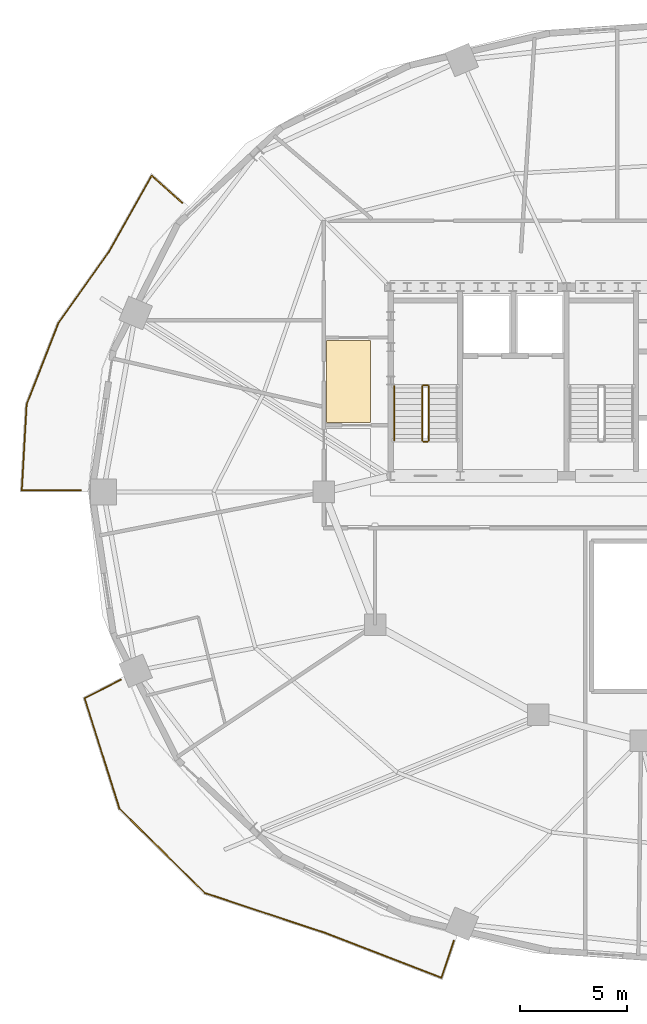
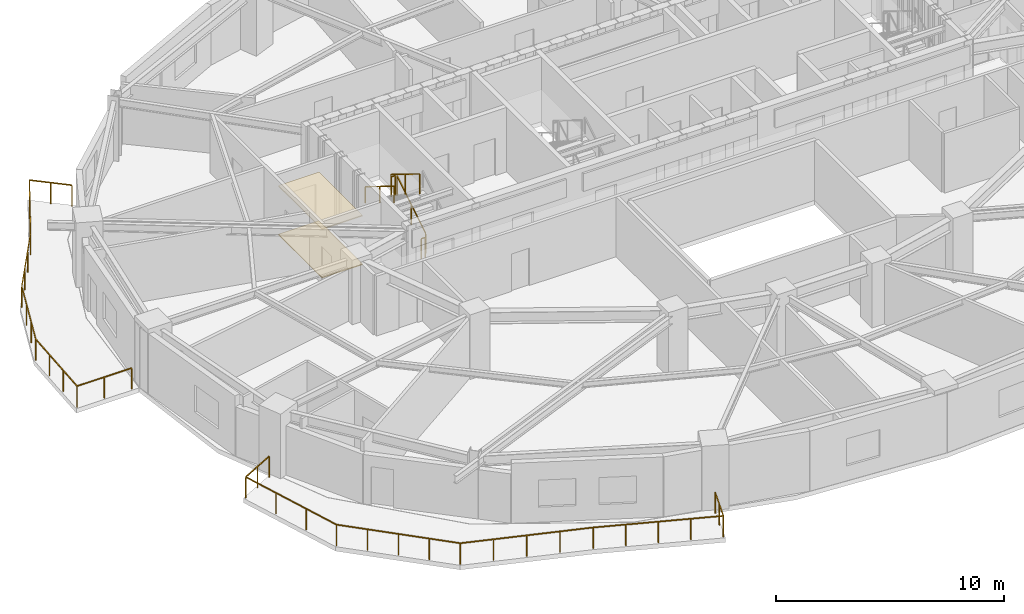
# One storey, part 8 of 10: 7 railings, 2 coverings.
"""IFC4 building model written with IfcOpenShell, lengths in metres."""

from ifc_helpers import new_model, si_unit, direction, frame, origin, origin_2d, place, context, subcontext, project, spatial, polyline, rectangle, outline, extrude, material, layer, layer_set, type_object, element, save


model = new_model("IFC4")

# Units and contexts
model_context = context("Model", 3, precision=1e-05, world=origin(), true_north=direction((0.0, 1.0)))
body_context = subcontext(model_context, "Body", "Model", "MODEL_VIEW")
ifc_project = project(units=[si_unit("LENGTHUNIT", "METRE"), si_unit("AREAUNIT", "SQUARE_METRE"), si_unit("VOLUMEUNIT", "CUBIC_METRE"), si_unit("PLANEANGLEUNIT", "RADIAN"), si_unit("MASSUNIT", "GRAM", prefix="KILO")], contexts=[model_context])

# Site, building, storey
site_placement = place(None, origin())
site = spatial("IfcSite", under=ifc_project, at=site_placement, CompositionType="ELEMENT")
building_placement = place(site_placement, origin())
building = spatial("IfcBuilding", under=site, at=building_placement, Name="Haldorwick Loom Tower", CompositionType="ELEMENT")
storey_placement = place(building_placement, frame((0.0, 0.0, 193.449951171875)))
storey = spatial("IfcBuildingStorey", under=building, at=storey_placement, Name="L52", CompositionType="ELEMENT", Elevation=193.449951171875)

# Coverings
ifc_material_1 = material(Name="Mineral Fibre Acoustic Ceiling Tile")
ifc_layer_1 = layer(ifc_material_1, 0.054931640625, Name="Mineral Fibre Acoustic Ceiling Tile")
ifc_layer_set_1 = layer_set([ifc_layer_1], Name="Mineral Fibre Acoustic Ceiling Tile")
covering_type_1 = type_object("IfcCoveringType", Name="ARC-COV-CEIL2", PredefinedType="CEILING", material=ifc_layer_set_1)
covering_1_placement = place(storey_placement, frame((0.0, 0.0, 2.594970703125)))
element("IfcCovering", 1, at=covering_1_placement, inside=storey, type_object=covering_type_1, Name="L52 Acoustic Suspended Ceiling 2", PredefinedType="CEILING", context=body_context, shape_type="SweptSolid", body=[
    extrude(outline(polyline([(18.93994140625, 33.06005859375), (18.93994140625, 29.239990234375), (21.0, 29.239990234375), (21.0, 33.06005859375), (18.93994140625, 33.06005859375)])), origin(), (0.0, 0.0, 1.0), 0.05517578125),
])
ifc_material_2 = material(Name="Polished Aggregate Terrazzo Finish")
ifc_layer_2 = layer(ifc_material_2, 0.044921875, Name="Polished Aggregate Terrazzo Finish")
ifc_layer_set_2 = layer_set([ifc_layer_2], Name="Polished Aggregate Terrazzo Finish")
covering_type_2 = type_object("IfcCoveringType", Name="ARC-COV-FLOOR2", PredefinedType="FLOORING", material=ifc_layer_set_2)
covering_2_placement = place(storey_placement, origin())
element("IfcCovering", 2, at=covering_2_placement, inside=storey, type_object=covering_type_2, Name="L52 Floor Finish 2", PredefinedType="FLOORING", context=body_context, shape_type="SweptSolid", body=[
    extrude(outline(polyline([(18.93994140625, 33.06005859375), (18.93994140625, 29.239990234375), (21.0, 29.239990234375), (21.0, 33.06005859375), (18.93994140625, 33.06005859375)])), origin(), (0.0, 0.0, 1.0), 0.045166015625),
])

# Railings
ifc_material_3 = material(Name="Galvanized Steel CSA G40.21 350W", Category="steel")
railing_type_1 = type_object("IfcRailingType", Name="ARC-RLG-BAL115", PredefinedType="BALUSTRADE", material=ifc_material_3)
railing_1_placement = place(storey_placement, frame((24.87890625, 5.0810546875, 0.0)))
element("IfcRailing", 3, at=railing_1_placement, inside=storey, type_object=railing_type_1, Name="L52 Outdoor Terrace Guardrail SLB-L52-BAL_SW-1", PredefinedType="BALUSTRADE", context=body_context, shape_type="SweptSolid", body=[
    extrude(rectangle(XDim=0.048095703125, YDim=0.048095703125, at=origin_2d()), frame((0.0, 0.0, 1.1259765625), z_axis=(-0.320504158811, -0.947247108301, 0.0), x_axis=(0.947247108301, -0.320504158811, 0.0)), (0.0, 0.0, 1.0), 1.831298828125),
    extrude(rectangle(XDim=0.048095703125, YDim=0.048095703125, at=origin_2d()), frame((-0.5869140625, -1.734619140625, 1.1259765625), z_axis=(-0.932644921505, 0.360795579783, 0.0), x_axis=(-0.360795579783, -0.932644921505, 0.0)), (0.0, 0.0, 1.0), 5.761962890625),
    extrude(rectangle(XDim=0.048095703125, YDim=0.048095703125, at=origin_2d()), frame((-5.960693359375, 0.34423828125, 1.1259765625), z_axis=(-0.928476690885, 0.371390676354, 0.0), x_axis=(-0.371390676354, -0.928476690885, 0.0)), (0.0, 0.0, 1.0), 0.00390625),
    extrude(rectangle(XDim=0.048095703125, YDim=0.048095703125, at=origin_2d()), frame((-5.96435546875, 0.345703125, 1.1259765625), z_axis=(-0.94926443568, 0.314478983642, 0.0), x_axis=(-0.314478983642, -0.94926443568, 0.0)), (0.0, 0.0, 1.0), 5.948974609375),
    extrude(rectangle(XDim=0.048095703125, YDim=0.048095703125, at=origin_2d()), frame((-11.611572265625, 2.216552734375, 1.1259765625), z_axis=(-0.711342204657, 0.702845835069, 0.0), x_axis=(-0.702845835069, -0.711342204657, 0.0)), (0.0, 0.0, 1.0), 5.603271484375),
    extrude(rectangle(XDim=0.048095703125, YDim=0.048095703125, at=origin_2d()), frame((-15.597412109375, 6.15478515625, 1.1259765625), z_axis=(-0.300921194881, 0.953649010104, 0.0), x_axis=(-0.953649010104, -0.300921194881, 0.0)), (0.0, 0.0, 1.0), 5.392822265625),
    extrude(rectangle(XDim=0.048095703125, YDim=0.048095703125, at=origin_2d()), frame((-17.22021484375, 11.297607421875, 1.1259765625), z_axis=(0.890851699435, 0.454294232425, 0.0), x_axis=(-0.454294232425, 0.890851699435, 0.0)), (0.0, 0.0, 1.0), 1.8857421875),
    extrude(rectangle(XDim=0.0419921875, YDim=0.0419921875, at=origin_2d()), origin(), (0.0, 0.0, 1.0), 1.101806640625),
    extrude(rectangle(XDim=0.0419921875, YDim=0.0419921875, at=origin_2d()), frame((-0.29345703125, -0.8671875, 0.0)), (0.0, 0.0, 1.0), 1.101806640625),
    extrude(rectangle(XDim=0.0419921875, YDim=0.0419921875, at=origin_2d()), frame((-0.5869140625, -1.734619140625, 0.0)), (0.0, 0.0, 1.0), 1.101806640625),
    extrude(rectangle(XDim=0.0419921875, YDim=0.0419921875, at=origin_2d()), frame((-1.930419921875, -1.21484375, 0.0)), (0.0, 0.0, 1.0), 1.101806640625),
    extrude(rectangle(XDim=0.0419921875, YDim=0.0419921875, at=origin_2d()), frame((-3.27392578125, -0.6953125, 0.0)), (0.0, 0.0, 1.0), 1.101806640625),
    extrude(rectangle(XDim=0.0419921875, YDim=0.0419921875, at=origin_2d()), frame((-4.6171875, -0.175537109375, 0.0)), (0.0, 0.0, 1.0), 1.101806640625),
    extrude(rectangle(XDim=0.0419921875, YDim=0.0419921875, at=origin_2d()), frame((-5.960693359375, 0.34423828125, 0.0)), (0.0, 0.0, 1.0), 1.101806640625),
    extrude(rectangle(XDim=0.0419921875, YDim=0.0419921875, at=origin_2d()), frame((-7.376220703125, 0.8134765625, 0.0)), (0.0, 0.0, 1.0), 1.101806640625),
    extrude(rectangle(XDim=0.0419921875, YDim=0.0419921875, at=origin_2d()), frame((-8.7880859375, 1.28125, 0.0)), (0.0, 0.0, 1.0), 1.101806640625),
    extrude(rectangle(XDim=0.0419921875, YDim=0.0419921875, at=origin_2d()), frame((-10.19970703125, 1.748779296875, 0.0)), (0.0, 0.0, 1.0), 1.101806640625),
    extrude(rectangle(XDim=0.0419921875, YDim=0.0419921875, at=origin_2d()), frame((-11.611572265625, 2.216552734375, 0.0)), (0.0, 0.0, 1.0), 1.101806640625),
    extrude(rectangle(XDim=0.0419921875, YDim=0.0419921875, at=origin_2d()), frame((-12.60791015625, 3.201171875, 0.0)), (0.0, 0.0, 1.0), 1.101806640625),
    extrude(rectangle(XDim=0.0419921875, YDim=0.0419921875, at=origin_2d()), frame((-13.6044921875, 4.185546875, 0.0)), (0.0, 0.0, 1.0), 1.101806640625),
    extrude(rectangle(XDim=0.0419921875, YDim=0.0419921875, at=origin_2d()), frame((-14.60107421875, 5.170166015625, 0.0)), (0.0, 0.0, 1.0), 1.101806640625),
    extrude(rectangle(XDim=0.0419921875, YDim=0.0419921875, at=origin_2d()), frame((-15.597412109375, 6.15478515625, 0.0)), (0.0, 0.0, 1.0), 1.101806640625),
    extrude(rectangle(XDim=0.0419921875, YDim=0.0419921875, at=origin_2d()), frame((-16.138427734375, 7.869140625, 0.0)), (0.0, 0.0, 1.0), 1.101806640625),
    extrude(rectangle(XDim=0.0419921875, YDim=0.0419921875, at=origin_2d()), frame((-16.67919921875, 9.583251953125, 0.0)), (0.0, 0.0, 1.0), 1.101806640625),
    extrude(rectangle(XDim=0.0419921875, YDim=0.0419921875, at=origin_2d()), frame((-17.22021484375, 11.297607421875, 0.0)), (0.0, 0.0, 1.0), 1.101806640625),
    extrude(rectangle(XDim=0.0419921875, YDim=0.0419921875, at=origin_2d()), frame((-16.38037109375, 11.72607421875, 0.0)), (0.0, 0.0, 1.0), 1.101806640625),
    extrude(rectangle(XDim=0.0419921875, YDim=0.0419921875, at=origin_2d()), frame((-15.540283203125, 12.154296875, 0.0)), (0.0, 0.0, 1.0), 1.101806640625),
])
railing_2_placement = place(storey_placement, frame((7.490478515625, 26.080078125, 0.0)))
element("IfcRailing", 4, at=railing_2_placement, inside=storey, type_object=railing_type_1, Name="L52 Outdoor Terrace Guardrail SLB-L52-BAL_WNW-1", PredefinedType="BALUSTRADE", context=body_context, shape_type="SweptSolid", body=[
    extrude(rectangle(XDim=0.048095703125, YDim=0.048095703125, at=origin_2d()), frame((0.0, 0.0, 1.1259765625), z_axis=(-1.0, 0.0, 0.0), x_axis=(0.0, -1.0, 0.0)), (0.0, 0.0, 1.0), 2.7607421875),
    extrude(rectangle(XDim=0.048095703125, YDim=0.048095703125, at=origin_2d()), frame((-2.7607421875, 0.0, 1.1259765625), z_axis=(0.056107004933, 0.99842476131, 0.0), x_axis=(-0.99842476131, 0.056107004933, 0.0)), (0.0, 0.0, 1.0), 4.011962890625),
    extrude(rectangle(XDim=0.048095703125, YDim=0.048095703125, at=origin_2d()), frame((-2.53564453125, 4.005615234375, 1.1259765625), z_axis=(0.364349606292, 0.931262242548, 0.0), x_axis=(-0.931262242548, 0.364349606292, 0.0)), (0.0, 0.0, 1.0), 4.0712890625),
    extrude(rectangle(XDim=0.048095703125, YDim=0.048095703125, at=origin_2d()), frame((-1.05224609375, 7.797119140625, 1.1259765625), z_axis=(0.578864631645, 0.815423655673, 0.0), x_axis=(-0.815423655673, 0.578864631645, 0.0)), (0.0, 0.0, 1.0), 4.0517578125),
    extrude(rectangle(XDim=0.048095703125, YDim=0.048095703125, at=origin_2d()), frame((1.293212890625, 11.10107421875, 1.1259765625), z_axis=(0.527362861778, 0.849640166198, 0.0), x_axis=(-0.849640166198, 0.527362861778, 0.0)), (0.0, 0.0, 1.0), 0.00830078125),
    extrude(rectangle(XDim=0.048095703125, YDim=0.048095703125, at=origin_2d()), frame((1.297607421875, 11.108154296875, 1.1259765625), z_axis=(0.490369152637, 0.871514827265, 0.0), x_axis=(-0.871514827265, 0.490369152637, 0.0)), (0.0, 0.0, 1.0), 4.08154296875),
    extrude(rectangle(XDim=0.048095703125, YDim=0.048095703125, at=origin_2d()), frame((3.299072265625, 14.665283203125, 1.1259765625), z_axis=(0.745999116868, -0.665946933046, 0.0), x_axis=(0.665946933046, 0.745999116868, 0.0)), (0.0, 0.0, 1.0), 1.903076171875),
    extrude(rectangle(XDim=0.0419921875, YDim=0.0419921875, at=origin_2d()), origin(), (0.0, 0.0, 1.0), 1.101806640625),
    extrude(rectangle(XDim=0.0419921875, YDim=0.0419921875, at=origin_2d()), frame((-1.38037109375, 0.0, 0.0)), (0.0, 0.0, 1.0), 1.101806640625),
    extrude(rectangle(XDim=0.0419921875, YDim=0.0419921875, at=origin_2d()), frame((-2.7607421875, 0.0, 0.0)), (0.0, 0.0, 1.0), 1.101806640625),
    extrude(rectangle(XDim=0.0419921875, YDim=0.0419921875, at=origin_2d()), frame((-2.685791015625, 1.335205078125, 0.0)), (0.0, 0.0, 1.0), 1.101806640625),
    extrude(rectangle(XDim=0.0419921875, YDim=0.0419921875, at=origin_2d()), frame((-2.610595703125, 2.67041015625, 0.0)), (0.0, 0.0, 1.0), 1.101806640625),
    extrude(rectangle(XDim=0.0419921875, YDim=0.0419921875, at=origin_2d()), frame((-2.53564453125, 4.005615234375, 0.0)), (0.0, 0.0, 1.0), 1.101806640625),
    extrude(rectangle(XDim=0.0419921875, YDim=0.0419921875, at=origin_2d()), frame((-2.041259765625, 5.26953125, 0.0)), (0.0, 0.0, 1.0), 1.101806640625),
    extrude(rectangle(XDim=0.0419921875, YDim=0.0419921875, at=origin_2d()), frame((-1.546630859375, 6.533203125, 0.0)), (0.0, 0.0, 1.0), 1.101806640625),
    extrude(rectangle(XDim=0.0419921875, YDim=0.0419921875, at=origin_2d()), frame((-1.05224609375, 7.797119140625, 0.0)), (0.0, 0.0, 1.0), 1.101806640625),
    extrude(rectangle(XDim=0.0419921875, YDim=0.0419921875, at=origin_2d()), frame((-0.2705078125, 8.8984375, 0.0)), (0.0, 0.0, 1.0), 1.101806640625),
    extrude(rectangle(XDim=0.0419921875, YDim=0.0419921875, at=origin_2d()), frame((0.511474609375, 9.999755859375, 0.0)), (0.0, 0.0, 1.0), 1.101806640625),
    extrude(rectangle(XDim=0.0419921875, YDim=0.0419921875, at=origin_2d()), frame((1.293212890625, 11.10107421875, 0.0)), (0.0, 0.0, 1.0), 1.101806640625),
    extrude(rectangle(XDim=0.0419921875, YDim=0.0419921875, at=origin_2d()), frame((1.96484375, 12.2939453125, 0.0)), (0.0, 0.0, 1.0), 1.101806640625),
    extrude(rectangle(XDim=0.0419921875, YDim=0.0419921875, at=origin_2d()), frame((2.6318359375, 13.4794921875, 0.0)), (0.0, 0.0, 1.0), 1.101806640625),
    extrude(rectangle(XDim=0.0419921875, YDim=0.0419921875, at=origin_2d()), frame((3.299072265625, 14.665283203125, 0.0)), (0.0, 0.0, 1.0), 1.101806640625),
    extrude(rectangle(XDim=0.0419921875, YDim=0.0419921875, at=origin_2d()), frame((4.0087890625, 14.03173828125, 0.0)), (0.0, 0.0, 1.0), 1.101806640625),
    extrude(rectangle(XDim=0.0419921875, YDim=0.0419921875, at=origin_2d()), frame((4.71875, 13.39794921875, 0.0)), (0.0, 0.0, 1.0), 1.101806640625),
])
ifc_material_4 = material(Name="Steel CSA G40.21 350W", Category="steel")
railing_type_2 = type_object("IfcRailingType", Name="ARC-RLG-GUARD112", PredefinedType="GUARDRAIL", material=ifc_material_4)
railing_3_placement = place(storey_placement, frame((23.699951171875, 28.39990234375, 0.172607421875)))
element("IfcRailing", 5, at=railing_3_placement, inside=storey, type_object=railing_type_2, Name="L52 ST-01 stair guard 1", PredefinedType="GUARDRAIL", context=body_context, shape_type="SweptSolid", body=[
    extrude(rectangle(XDim=0.048095703125, YDim=0.048095703125, at=origin_2d()), frame((0.0, 0.0, 1.076171875), z_axis=(0.0, 0.851400495292, 0.524516154772), x_axis=(-1.0, 0.0, 0.0)), (0.0, 0.0, 1.0), 2.9599609375),
    extrude(rectangle(XDim=0.0419921875, YDim=0.0419921875, at=origin_2d()), origin(), (0.0, 0.0, 1.0), 1.052001953125),
    extrude(rectangle(XDim=0.0419921875, YDim=0.0419921875, at=origin_2d()), frame((0.0, 1.260009765625, 0.7763671875)), (0.0, 0.0, 1.0), 1.052001953125),
    extrude(rectangle(XDim=0.0419921875, YDim=0.0419921875, at=origin_2d()), frame((0.0, 2.52001953125, 1.552490234375)), (0.0, 0.0, 1.0), 1.052001953125),
])
railing_4_placement = place(storey_placement, frame((23.64990234375, 30.969970703125, 1.72509765625)))
element("IfcRailing", 6, at=railing_4_placement, inside=storey, type_object=railing_type_2, Name="L52 ST-01 stair guard 2", PredefinedType="GUARDRAIL", context=body_context, shape_type="SweptSolid", body=[
    extrude(rectangle(XDim=0.048095703125, YDim=0.048095703125, at=origin_2d()), frame((0.0, 0.0, 1.076171875), z_axis=(-1.0, 0.0, 0.0), x_axis=(0.0, -1.0, 0.0)), (0.0, 0.0, 1.0), 0.199951171875),
    extrude(rectangle(XDim=0.0419921875, YDim=0.0419921875, at=origin_2d()), origin(), (0.0, 0.0, 1.0), 1.052001953125),
    extrude(rectangle(XDim=0.0419921875, YDim=0.0419921875, at=origin_2d()), frame((-0.199951171875, 0.0, 0.0)), (0.0, 0.0, 1.0), 1.052001953125),
])
railing_5_placement = place(storey_placement, frame((23.39990234375, 30.919921875, 1.8974609375)))
element("IfcRailing", 7, at=railing_5_placement, inside=storey, type_object=railing_type_2, Name="L52 ST-01 stair guard 3", PredefinedType="GUARDRAIL", context=body_context, shape_type="SweptSolid", body=[
    extrude(rectangle(XDim=0.048095703125, YDim=0.048095703125, at=origin_2d()), frame((0.0, 0.0, 1.076171875), z_axis=(0.0, -0.851400495292, 0.524516154772), x_axis=(1.0, 0.0, 0.0)), (0.0, 0.0, 1.0), 2.9599609375),
    extrude(rectangle(XDim=0.0419921875, YDim=0.0419921875, at=origin_2d()), origin(), (0.0, 0.0, 1.0), 1.052001953125),
    extrude(rectangle(XDim=0.0419921875, YDim=0.0419921875, at=origin_2d()), frame((0.0, -1.260009765625, 0.7763671875)), (0.0, 0.0, 1.0), 1.052001953125),
    extrude(rectangle(XDim=0.0419921875, YDim=0.0419921875, at=origin_2d()), frame((0.0, -2.52001953125, 1.552490234375)), (0.0, 0.0, 1.0), 1.052001953125),
])
railing_6_placement = place(storey_placement, frame((23.64990234375, 28.35009765625, 0.0)))
element("IfcRailing", 8, at=railing_6_placement, inside=storey, type_object=railing_type_2, Name="L52 ST-01 stair guard 4", PredefinedType="GUARDRAIL", context=body_context, shape_type="SweptSolid", body=[
    extrude(rectangle(XDim=0.048095703125, YDim=0.048095703125, at=origin_2d()), frame((0.0, 0.0, 1.076171875), z_axis=(-1.0, 0.0, 0.0), x_axis=(0.0, -1.0, 0.0)), (0.0, 0.0, 1.0), 0.199951171875),
    extrude(rectangle(XDim=0.0419921875, YDim=0.0419921875, at=origin_2d()), origin(), (0.0, 0.0, 1.0), 1.052001953125),
    extrude(rectangle(XDim=0.0419921875, YDim=0.0419921875, at=origin_2d()), frame((-0.199951171875, 0.0, 0.0)), (0.0, 0.0, 1.0), 1.052001953125),
])
railing_type_3 = type_object("IfcRailingType", Name="ARC-RLG-HAND092", PredefinedType="HANDRAIL", material=ifc_material_4)
railing_7_placement = place(storey_placement, frame((22.10009765625, 30.919921875, 1.8974609375)))
element("IfcRailing", 9, at=railing_7_placement, inside=storey, type_object=railing_type_3, Name="L52 ST-01 stair handrail 2", PredefinedType="HANDRAIL", context=body_context, shape_type="SweptSolid", body=[
    extrude(rectangle(XDim=0.048095703125, YDim=0.048095703125, at=origin_2d()), frame((0.0, 0.0, 0.8759765625), z_axis=(0.0, -0.851400495292, 0.524516154772), x_axis=(1.0, 0.0, 0.0)), (0.0, 0.0, 1.0), 2.9599609375),
    extrude(rectangle(XDim=0.0419921875, YDim=0.0419921875, at=origin_2d()), origin(), (0.0, 0.0, 1.0), 0.851806640625),
    extrude(rectangle(XDim=0.0419921875, YDim=0.0419921875, at=origin_2d()), frame((0.0, -1.260009765625, 0.7763671875)), (0.0, 0.0, 1.0), 0.851806640625),
    extrude(rectangle(XDim=0.0419921875, YDim=0.0419921875, at=origin_2d()), frame((0.0, -2.52001953125, 1.552490234375)), (0.0, 0.0, 1.0), 0.851806640625),
])

save(model, "model.ifc")
